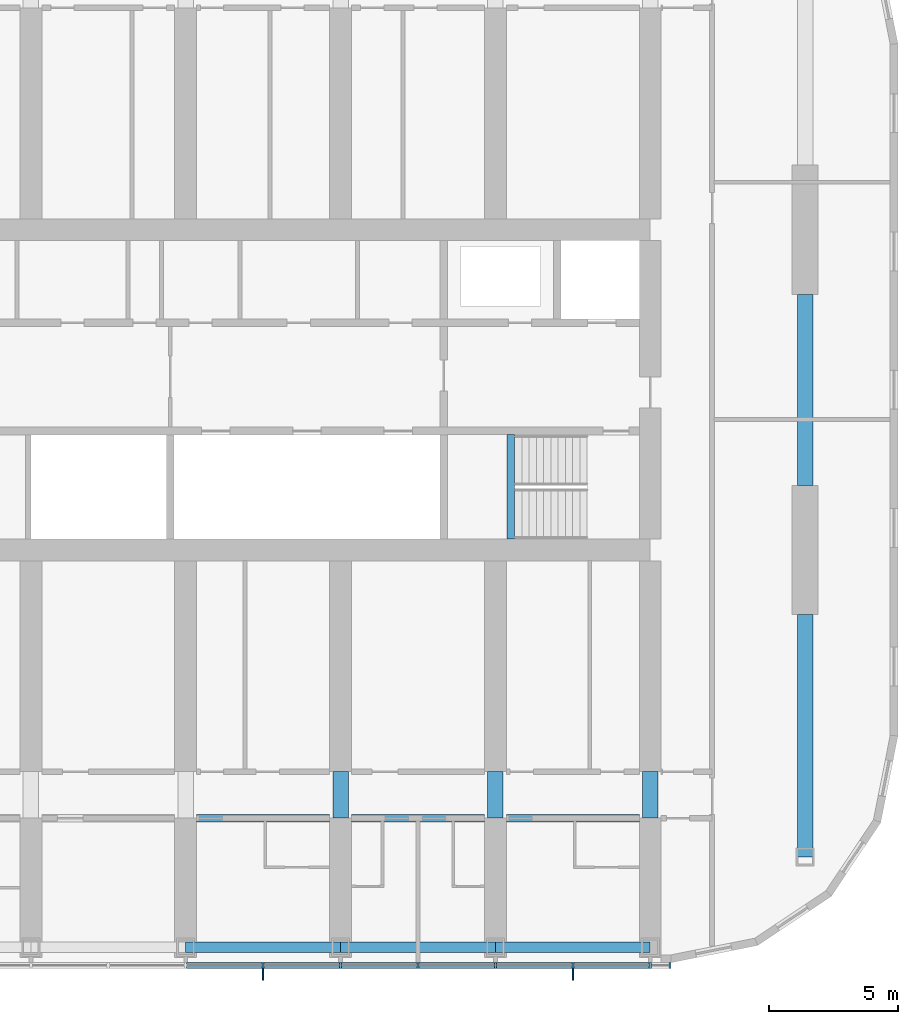
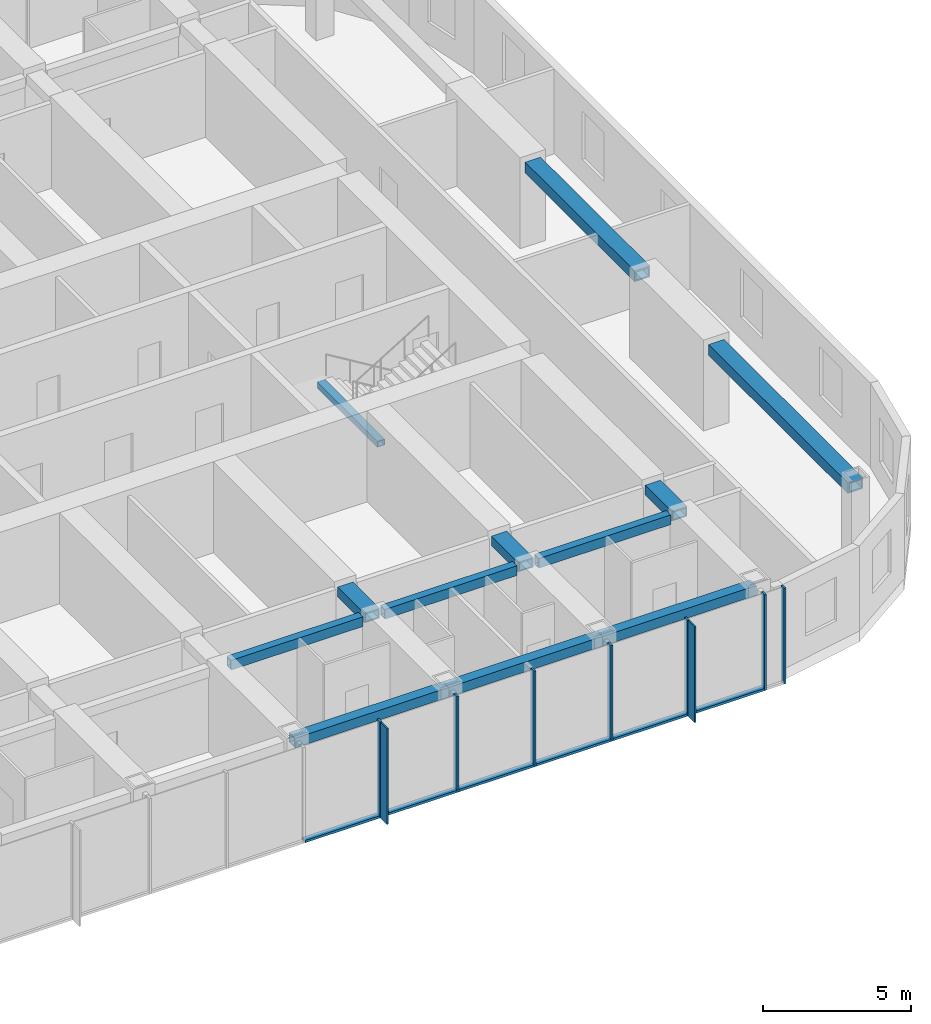
# One storey, part 5 of 28: 15 members, 12 beams, 1 element without a shape of its own.
"""IFC4 building model written with IfcOpenShell, lengths in metres."""

from ifc_helpers import new_model, si_unit, direction, frame, origin, origin_2d, place, context, subcontext, project, spatial, rectangle, hollow_rectangle, extrude, material, material_profile, profile_set, type_object, element, aggregate, save


model = new_model("IFC4")

# Units and contexts
model_context = context("Model", 3, precision=1e-05, world=origin(), true_north=direction((0.0, 1.0)))
body_context = subcontext(model_context, "Body", "Model", "MODEL_VIEW")
ifc_project = project(units=[si_unit("LENGTHUNIT", "METRE"), si_unit("AREAUNIT", "SQUARE_METRE"), si_unit("VOLUMEUNIT", "CUBIC_METRE"), si_unit("PLANEANGLEUNIT", "RADIAN"), si_unit("MASSUNIT", "GRAM", prefix="KILO")], contexts=[model_context])

# Site, building, storey
site_placement = place(None, origin())
site = spatial("IfcSite", under=ifc_project, at=site_placement, CompositionType="ELEMENT")
building_placement = place(site_placement, origin())
building = spatial("IfcBuilding", under=site, at=building_placement, Name="Orbita Commons", CompositionType="ELEMENT")
storey_placement = place(building_placement, frame((0.0, 0.0, 193.60009765625)))
storey = spatial("IfcBuildingStorey", under=building, at=storey_placement, Name="L48", CompositionType="ELEMENT", Elevation=193.60009765625)

# Curtain wall, members
ifc_material_1 = material(Name="Anodised aluminium frame, pale silver", Category="aluminium")
curtain_wall_type = type_object("IfcCurtainWallType", Name="Unitised curtain wall CW-U, full-height vision", PredefinedType="NOTDEFINED", material=ifc_material_1)
curtain_wall_placement = place(storey_placement, origin())
curtain_wall = element("IfcCurtainWall", 1, at=curtain_wall_placement, inside=storey, type_object=curtain_wall_type, Name="Curtain wall south L48", PredefinedType="NOTDEFINED")
ifc_material_2 = material(Name="Anodised aluminium, pale silver", Category="aluminium")
ifc_material_profile_1 = material_profile(ifc_material_2, rectangle(XDim=0.080078125, YDim=0.219970703125, at=origin_2d()), Name="AL 80x220")
ifc_profile_set_1 = profile_set([ifc_material_profile_1], Name="Anodised aluminium, pale silver")
member_type_1 = type_object("IfcMemberType", Name="Curtain wall mullion 80x220", PredefinedType="MULLION", material=ifc_profile_set_1)
member_1_placement = place(storey_placement, frame((51.0, 9.68994140625, -0.4501953125), z_axis=(0.0, 0.0, 1.0), x_axis=(1.0, 0.0, 0.0)))
member_1 = element("IfcMember", 2, at=member_1_placement, type_object=member_type_1, Name="Mullion 13 CW-L48-S", PredefinedType="MULLION", context=body_context, shape_type="SweptSolid", body=[
    extrude(rectangle(XDim=0.080078125, YDim=0.219970703125, at=origin_2d()), origin(), (0.0, 0.0, 1.0), 3.9501953125),
])
member_2_placement = place(storey_placement, frame((54.0, 9.68994140625, -0.4501953125), z_axis=(0.0, 0.0, 1.0), x_axis=(1.0, 0.0, 0.0)))
member_2 = element("IfcMember", 3, at=member_2_placement, type_object=member_type_1, Name="Mullion 14 CW-L48-S", PredefinedType="MULLION", context=body_context, shape_type="SweptSolid", body=[
    extrude(rectangle(XDim=0.080078125, YDim=0.219970703125, at=origin_2d()), origin(), (0.0, 0.0, 1.0), 3.9501953125),
])
member_3_placement = place(storey_placement, frame((57.0, 9.68994140625, -0.4501953125), z_axis=(0.0, 0.0, 1.0), x_axis=(1.0, 0.0, 0.0)))
member_3 = element("IfcMember", 4, at=member_3_placement, type_object=member_type_1, Name="Mullion 15 CW-L48-S", PredefinedType="MULLION", context=body_context, shape_type="SweptSolid", body=[
    extrude(rectangle(XDim=0.080078125, YDim=0.219970703125, at=origin_2d()), origin(), (0.0, 0.0, 1.0), 3.9501953125),
])
member_4_placement = place(storey_placement, frame((60.0, 9.68994140625, -0.4501953125), z_axis=(0.0, 0.0, 1.0), x_axis=(1.0, 0.0, 0.0)))
member_4 = element("IfcMember", 5, at=member_4_placement, type_object=member_type_1, Name="Mullion 16 CW-L48-S", PredefinedType="MULLION", context=body_context, shape_type="SweptSolid", body=[
    extrude(rectangle(XDim=0.080078125, YDim=0.219970703125, at=origin_2d()), origin(), (0.0, 0.0, 1.0), 3.9501953125),
])
member_5_placement = place(storey_placement, frame((63.0, 9.68994140625, -0.4501953125), z_axis=(0.0, 0.0, 1.0), x_axis=(1.0, 0.0, 0.0)))
member_5 = element("IfcMember", 6, at=member_5_placement, type_object=member_type_1, Name="Mullion 17 CW-L48-S", PredefinedType="MULLION", context=body_context, shape_type="SweptSolid", body=[
    extrude(rectangle(XDim=0.080078125, YDim=0.219970703125, at=origin_2d()), origin(), (0.0, 0.0, 1.0), 3.9501953125),
])
member_6_placement = place(storey_placement, frame((66.0, 9.68994140625, -0.4501953125), z_axis=(0.0, 0.0, 1.0), x_axis=(1.0, 0.0, 0.0)))
member_6 = element("IfcMember", 7, at=member_6_placement, type_object=member_type_1, Name="Mullion 18 CW-L48-S", PredefinedType="MULLION", context=body_context, shape_type="SweptSolid", body=[
    extrude(rectangle(XDim=0.080078125, YDim=0.219970703125, at=origin_2d()), origin(), (0.0, 0.0, 1.0), 3.9501953125),
])
member_7_placement = place(storey_placement, frame((66.760009765625, 9.68994140625, -0.4501953125), z_axis=(0.0, 0.0, 1.0), x_axis=(1.0, 0.0, 0.0)))
member_7 = element("IfcMember", 8, at=member_7_placement, type_object=member_type_1, Name="Mullion 19 CW-L48-S", PredefinedType="MULLION", context=body_context, shape_type="SweptSolid", body=[
    extrude(rectangle(XDim=0.080078125, YDim=0.219970703125, at=origin_2d()), origin(), (0.0, 0.0, 1.0), 3.9501953125),
])
ifc_material_3 = material(Name="Anodised aluminium, pale silver", Category="aluminium")
ifc_material_profile_2 = material_profile(ifc_material_3, rectangle(XDim=0.219970703125, YDim=0.10009765625, at=origin_2d()), Name="AL 220x100")
ifc_profile_set_2 = profile_set([ifc_material_profile_2], Name="Anodised aluminium, pale silver")
member_type_2 = type_object("IfcMemberType", Name="Curtain wall stack transom 220x100", PredefinedType="USERDEFINED", material=ifc_profile_set_2)
member_8_placement = place(storey_placement, frame((48.0400390625, 9.68994140625, -0.400146484375), z_axis=(1.0, 0.0, 0.0), x_axis=(0.0, 1.0, 0.0)))
member_8 = element("IfcMember", 9, at=member_8_placement, type_object=member_type_2, Name="Transom 12.1 CW-L48-S", ObjectType="TRANSOM", PredefinedType="USERDEFINED", context=body_context, shape_type="SweptSolid", body=[
    extrude(rectangle(XDim=0.219970703125, YDim=0.10009765625, at=origin_2d()), origin(), (0.0, 0.0, 1.0), 2.919921875),
])
member_9_placement = place(storey_placement, frame((51.0400390625, 9.68994140625, -0.400146484375), z_axis=(1.0, 0.0, 0.0), x_axis=(0.0, 1.0, 0.0)))
member_9 = element("IfcMember", 10, at=member_9_placement, type_object=member_type_2, Name="Transom 13.1 CW-L48-S", ObjectType="TRANSOM", PredefinedType="USERDEFINED", context=body_context, shape_type="SweptSolid", body=[
    extrude(rectangle(XDim=0.219970703125, YDim=0.10009765625, at=origin_2d()), origin(), (0.0, 0.0, 1.0), 2.919921875),
])
member_10_placement = place(storey_placement, frame((54.0400390625, 9.68994140625, -0.400146484375), z_axis=(1.0, 0.0, 0.0), x_axis=(0.0, 1.0, 0.0)))
member_10 = element("IfcMember", 11, at=member_10_placement, type_object=member_type_2, Name="Transom 14.1 CW-L48-S", ObjectType="TRANSOM", PredefinedType="USERDEFINED", context=body_context, shape_type="SweptSolid", body=[
    extrude(rectangle(XDim=0.219970703125, YDim=0.10009765625, at=origin_2d()), origin(), (0.0, 0.0, 1.0), 2.919921875),
])
member_11_placement = place(storey_placement, frame((57.0400390625, 9.68994140625, -0.400146484375), z_axis=(1.0, 0.0, 0.0), x_axis=(0.0, 1.0, 0.0)))
member_11 = element("IfcMember", 12, at=member_11_placement, type_object=member_type_2, Name="Transom 15.1 CW-L48-S", ObjectType="TRANSOM", PredefinedType="USERDEFINED", context=body_context, shape_type="SweptSolid", body=[
    extrude(rectangle(XDim=0.219970703125, YDim=0.10009765625, at=origin_2d()), origin(), (0.0, 0.0, 1.0), 2.919921875),
])
member_12_placement = place(storey_placement, frame((60.0400390625, 9.68994140625, -0.400146484375), z_axis=(1.0, 0.0, 0.0), x_axis=(0.0, 1.0, 0.0)))
member_12 = element("IfcMember", 13, at=member_12_placement, type_object=member_type_2, Name="Transom 16.1 CW-L48-S", ObjectType="TRANSOM", PredefinedType="USERDEFINED", context=body_context, shape_type="SweptSolid", body=[
    extrude(rectangle(XDim=0.219970703125, YDim=0.10009765625, at=origin_2d()), origin(), (0.0, 0.0, 1.0), 2.919921875),
])
member_13_placement = place(storey_placement, frame((63.0400390625, 9.68994140625, -0.400146484375), z_axis=(1.0, 0.0, 0.0), x_axis=(0.0, 1.0, 0.0)))
member_13 = element("IfcMember", 14, at=member_13_placement, type_object=member_type_2, Name="Transom 17.1 CW-L48-S", ObjectType="TRANSOM", PredefinedType="USERDEFINED", context=body_context, shape_type="SweptSolid", body=[
    extrude(rectangle(XDim=0.219970703125, YDim=0.10009765625, at=origin_2d()), origin(), (0.0, 0.0, 1.0), 2.919921875),
])

# Beams
ifc_material_4 = material(Name="Steel ASTM A572 Gr 50 welded plate", Category="steel")
ifc_material_profile_3 = material_profile(ifc_material_4, hollow_rectangle(XDim=0.300048828125, YDim=0.25, WallThickness=0.02490234375, at=origin_2d()), Name="BOX 250x300x25")
ifc_profile_set_3 = profile_set([ifc_material_profile_3], Name="Steel ASTM A572 Gr 50 welded plate")
beam_type_1 = type_object("IfcBeamType", Name="Stair landing beam steel BOX 250x300x25", PredefinedType="BEAM", material=ifc_profile_set_3)
beam_1_placement = place(storey_placement, frame((60.60009765625, 26.2099609375, 1.5498046875), z_axis=(0.0, 1.0, 0.0), x_axis=(-1.0, 0.0, 0.0)))
element("IfcBeam", 15, at=beam_1_placement, inside=storey, type_object=beam_type_1, Name="Stair S2 landing beam L48 1", PredefinedType="BEAM", context=body_context, shape_type="SweptSolid", body=[
    extrude(hollow_rectangle(XDim=0.300048828125, YDim=0.25, WallThickness=0.02490234375, at=origin_2d()), origin(), (0.0, 0.0, 1.0), 4.054931640625),
])
ifc_material_5 = material(Name="Steel ASTM A572 Gr 50 welded plate", Category="steel")
ifc_material_profile_4 = material_profile(ifc_material_5, hollow_rectangle(XDim=0.300048828125, YDim=0.39990234375, WallThickness=0.0400390625, at=origin_2d()), Name="BOX 400x300x40")
ifc_profile_set_4 = profile_set([ifc_material_profile_4], Name="Steel ASTM A572 Gr 50 welded plate")
beam_type_2 = type_object("IfcBeamType", Name="Steel corridor link BOX 400x300x40", PredefinedType="BEAM", material=ifc_profile_set_4)
for number, where, z_axis, x_axis, name in (
    (16, (48.425048828125, 15.39990234375, 3.2998046875), (1.0, 0.0, 0.0), (0.0, 1.0, 0.0), "Corridor beam SA 9-10 L48"),
    (17, (54.425048828125, 15.39990234375, 3.2998046875), (1.0, 0.0, 0.0), (0.0, 1.0, 0.0), "Corridor beam SA 10-11 L48"),
    (18, (60.425048828125, 15.39990234375, 3.2998046875), (1.0, 0.0, 0.0), (0.0, 1.0, 0.0), "Corridor beam SA 11-12 L48"),
):
    element("IfcBeam", number, at=place(storey_placement, frame(where, z_axis=z_axis, x_axis=x_axis)), inside=storey, type_object=beam_type_2, Name=name, PredefinedType="BEAM", context=body_context, shape_type="SweptSolid", body=[
        extrude(hollow_rectangle(XDim=0.300048828125, YDim=0.39990234375, WallThickness=0.0400390625, at=origin_2d()), origin(), (0.0, 0.0, 1.0), 5.14990234375),
    ])
ifc_material_6 = material(Name="Steel ASTM A572 Gr 50 welded plate", Category="steel")
ifc_material_profile_5 = material_profile(ifc_material_6, hollow_rectangle(XDim=0.60009765625, YDim=0.39990234375, WallThickness=0.050048828125, at=origin_2d()), Name="BOX 400x600x50")
ifc_profile_set_5 = profile_set([ifc_material_profile_5], Name="Steel ASTM A572 Gr 50 welded plate")
beam_type_3 = type_object("IfcBeamType", Name="Steel coupling link BOX 400x600x50", PredefinedType="LINTEL", material=ifc_profile_set_5)
for number, where, z_axis, x_axis, name in (
    (19, (54.0, 15.39990234375, 3.2998046875), (0.0, 1.0, 0.0), (-1.0, 0.0, 0.0), "Coupling beam 10 south L48"),
    (20, (60.0, 15.39990234375, 3.2998046875), (0.0, 1.0, 0.0), (-1.0, 0.0, 0.0), "Coupling beam 11 south L48"),
    (21, (66.0, 15.39990234375, 3.2998046875), (0.0, 1.0, 0.0), (-1.0, 0.0, 0.0), "Coupling beam 12 south L48"),
):
    element("IfcBeam", number, at=place(storey_placement, frame(where, z_axis=z_axis, x_axis=x_axis)), inside=storey, type_object=beam_type_3, Name=name, PredefinedType="LINTEL", context=body_context, shape_type="SweptSolid", body=[
        extrude(hollow_rectangle(XDim=0.60009765625, YDim=0.39990234375, WallThickness=0.050048828125, at=origin_2d()), origin(), (0.0, 0.0, 1.0), 1.800048828125),
    ])
ifc_material_7 = material(Name="Steel ASTM A572 Gr 50 welded plate", Category="steel")
ifc_material_profile_6 = material_profile(ifc_material_7, hollow_rectangle(XDim=0.60009765625, YDim=0.449951171875, WallThickness=0.06005859375, at=origin_2d()), Name="BOX 450x600x60")
ifc_profile_set_6 = profile_set([ifc_material_profile_6], Name="Steel ASTM A572 Gr 50 welded plate")
beam_type_4 = type_object("IfcBeamType", Name="Steel end frame link BOX 450x600x60", PredefinedType="BEAM", material=ifc_profile_set_6)
beam_2_placement = place(storey_placement, frame((72.0, 13.89990234375, 3.27490234375), z_axis=(0.0, 1.0, 0.0), x_axis=(-1.0, 0.0, 0.0)))
element("IfcBeam", 22, at=beam_2_placement, inside=storey, type_object=beam_type_4, Name="End frame beam 13 B-C L48", PredefinedType="BEAM", context=body_context, shape_type="SweptSolid", body=[
    extrude(hollow_rectangle(XDim=0.60009765625, YDim=0.449951171875, WallThickness=0.06005859375, at=origin_2d()), origin(), (0.0, 0.0, 1.0), 9.400146484375),
])
beam_3_placement = place(storey_placement, frame((72.0, 28.300048828125, 3.27490234375), z_axis=(0.0, 1.0, 0.0), x_axis=(-1.0, 0.0, 0.0)))
element("IfcBeam", 23, at=beam_3_placement, inside=storey, type_object=beam_type_4, Name="End frame beam 13 C-D L48", PredefinedType="BEAM", context=body_context, shape_type="SweptSolid", body=[
    extrude(hollow_rectangle(XDim=0.60009765625, YDim=0.449951171875, WallThickness=0.06005859375, at=origin_2d()), origin(), (0.0, 0.0, 1.0), 7.39990234375),
])
ifc_material_8 = material(Name="Steel ASTM A572 Gr 50 welded plate", Category="steel")
ifc_material_profile_7 = material_profile(ifc_material_8, hollow_rectangle(XDim=0.39990234375, YDim=0.39990234375, WallThickness=0.0400390625, at=origin_2d()), Name="BOX 400x400x40")
ifc_profile_set_7 = profile_set([ifc_material_profile_7], Name="Steel ASTM A572 Gr 50 welded plate")
beam_type_5 = type_object("IfcBeamType", Name="Steel spandrel BOX 400x400x40", PredefinedType="SPANDREL", material=ifc_profile_set_7)
for number, where, z_axis, x_axis, name in (
    (24, (48.0, 10.39990234375, 3.2998046875), (1.0, 0.0, 0.0), (0.0, 1.0, 0.0), "Spandrel beam B 9-10 L48"),
    (25, (54.0, 10.39990234375, 3.2998046875), (1.0, 0.0, 0.0), (0.0, 1.0, 0.0), "Spandrel beam B 10-11 L48"),
    (26, (60.0, 10.39990234375, 3.2998046875), (1.0, 0.0, 0.0), (0.0, 1.0, 0.0), "Spandrel beam B 11-12 L48"),
):
    element("IfcBeam", number, at=place(storey_placement, frame(where, z_axis=z_axis, x_axis=x_axis)), inside=storey, type_object=beam_type_5, Name=name, PredefinedType="SPANDREL", context=body_context, shape_type="SweptSolid", body=[
        extrude(hollow_rectangle(XDim=0.39990234375, YDim=0.39990234375, WallThickness=0.0400390625, at=origin_2d()), origin(), (0.0, 0.0, 1.0), 6.0),
    ])

# Member
ifc_material_9 = material(Name="Anodised aluminium, pale silver", Category="aluminium")
ifc_material_profile_8 = material_profile(ifc_material_9, rectangle(XDim=0.06005859375, YDim=0.449951171875, at=origin_2d()), Name="FIN 60x450")
ifc_profile_set_8 = profile_set([ifc_material_profile_8], Name="Anodised aluminium, pale silver")
member_type_3 = type_object("IfcMemberType", Name="Vertical fin 60x450 pale aluminium", PredefinedType="USERDEFINED", material=ifc_profile_set_8)
member_14_placement = place(storey_placement, frame((51.0, 9.35498046875, -0.4501953125), z_axis=(0.0, 0.0, 1.0), x_axis=(1.0, 0.0, 0.0)))
member_14 = element("IfcMember", 27, at=member_14_placement, type_object=member_type_3, Name="Fin 13 CW-L48-S", ObjectType="FIN", PredefinedType="USERDEFINED", context=body_context, shape_type="SweptSolid", body=[
    extrude(rectangle(XDim=0.06005859375, YDim=0.449951171875, at=origin_2d()), origin(), (0.0, 0.0, 1.0), 3.9501953125),
])

member_15_placement = place(storey_placement, frame((63.0, 9.35498046875, -0.4501953125), z_axis=(0.0, 0.0, 1.0), x_axis=(1.0, 0.0, 0.0)))
member_15 = element("IfcMember", 28, at=member_15_placement, type_object=member_type_3, Name="Fin 17 CW-L48-S", ObjectType="FIN", PredefinedType="USERDEFINED", context=body_context, shape_type="SweptSolid", body=[
    extrude(rectangle(XDim=0.06005859375, YDim=0.449951171875, at=origin_2d()), origin(), (0.0, 0.0, 1.0), 3.9501953125),
])

aggregate(curtain_wall, [member_1, member_14, member_2, member_3, member_4, member_5, member_15, member_6, member_7, member_8, member_9, member_10, member_11, member_12, member_13])

save(model, "model.ifc")
